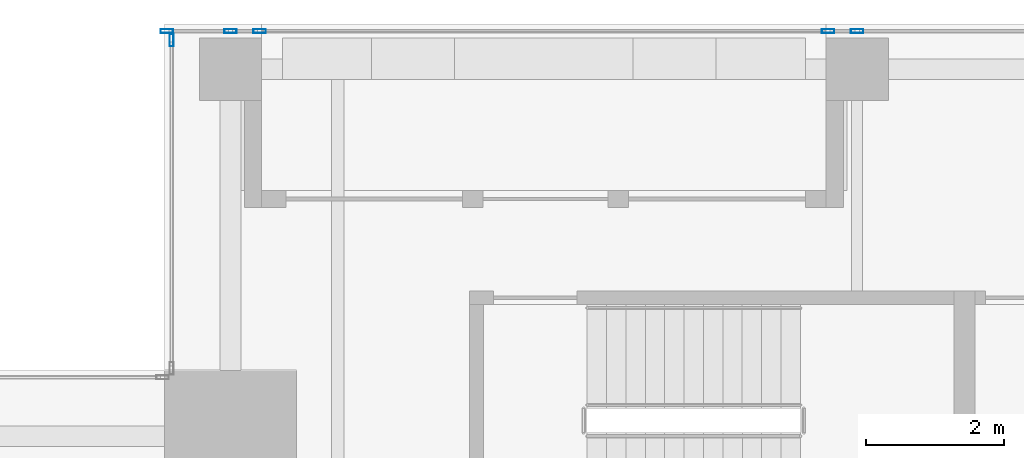
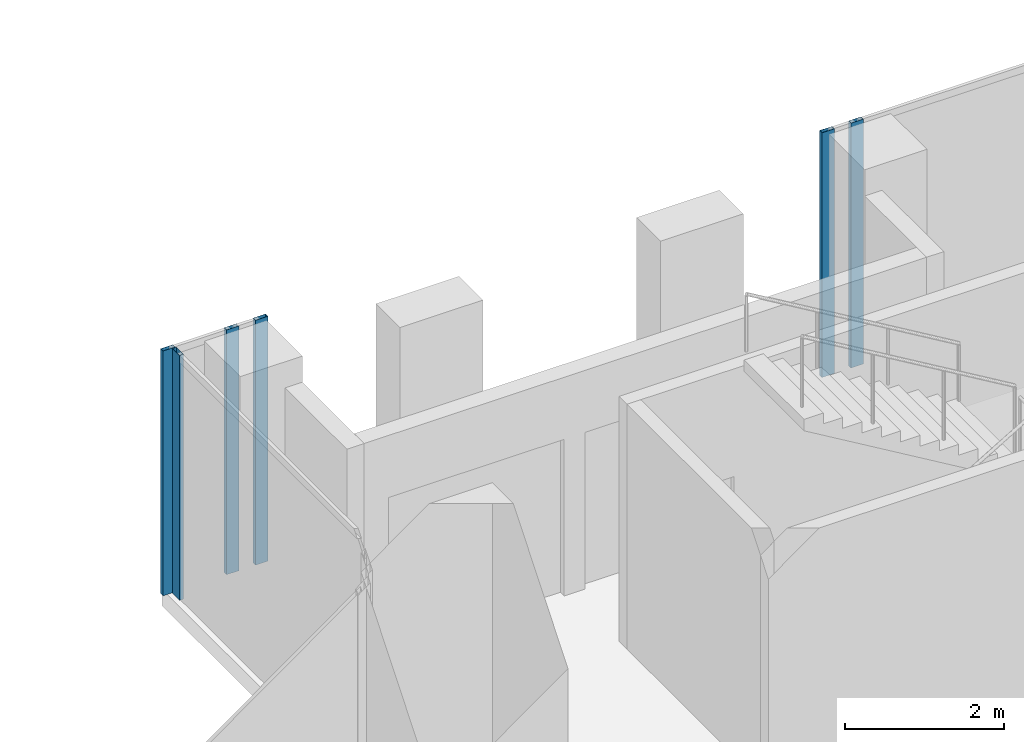
# One storey, part 18 of 35: 6 members, 3 elements without a shape of their own.
"""IFC4 building model written with IfcOpenShell, lengths in metres."""

from ifc_helpers import new_model, si_unit, direction, frame, origin, origin_2d, place, context, subcontext, project, spatial, hollow_rectangle, extrude, source, transform, mapped, material, material_profile, profile_set, type_object, element, aggregate, save


model = new_model("IFC4")

# Units and contexts
model_context = context("Model", 3, precision=1e-05, world=origin(), true_north=direction((0.0, 1.0)))
body_context = subcontext(model_context, "Body", "Model", "MODEL_VIEW")
ifc_project = project(units=[si_unit("LENGTHUNIT", "METRE"), si_unit("AREAUNIT", "SQUARE_METRE"), si_unit("VOLUMEUNIT", "CUBIC_METRE"), si_unit("PLANEANGLEUNIT", "RADIAN"), si_unit("MASSUNIT", "GRAM", prefix="KILO")], contexts=[model_context])

# Site, building, storey
site_placement = place(None, origin())
site = spatial("IfcSite", under=ifc_project, at=site_placement, CompositionType="ELEMENT")
building_placement = place(site_placement, origin())
building = spatial("IfcBuilding", under=site, at=building_placement, Name="Khomas Fold Tower", CompositionType="ELEMENT")
storey_placement = place(building_placement, frame((0.0, 0.0, 250.199951171875)))
storey = spatial("IfcBuildingStorey", under=building, at=storey_placement, Name="L56", CompositionType="ELEMENT", Elevation=250.199951171875)

# Curtain wall, members
ifc_material_1 = material(Name="Aluminium framed double glazing", Category="aluminium")
curtain_wall_type = type_object("IfcCurtainWallType", Name="SK-Unitised clear-glass wall, office floors CW2", PredefinedType="NOTDEFINED", material=ifc_material_1)
curtain_wall_1_placement = place(storey_placement, origin())
curtain_wall_1 = element("IfcCurtainWall", 1, at=curtain_wall_1_placement, inside=storey, type_object=curtain_wall_type, Name="CW2 run L56 06-0", PredefinedType="NOTDEFINED")
ifc_material_2 = material(Name="Aluminium", Category="aluminium")
ifc_material_profile = material_profile(ifc_material_2, hollow_rectangle(XDim=0.06005859375, YDim=0.179931640625, WallThickness=0.00390625, at=origin_2d()), Name="SK-Unitised clear-glass wall, office floors mullion CW2-M")
ifc_profile_set = profile_set([ifc_material_profile], Name="Aluminium")
member_type = type_object("IfcMemberType", Name="SK-Unitised clear-glass wall, office floors mullion CW2-M", PredefinedType="MULLION", material=ifc_profile_set)
shared_shape = source(origin(), body_context, "Body", "SweptSolid", [
    extrude(hollow_rectangle(XDim=0.06005859375, YDim=0.179931640625, WallThickness=0.00390625, at=origin_2d()), origin(), (0.0, 0.0, 1.0), 3.75),
])
member_1_placement = place(storey_placement, frame((19.5, 49.39990234375, 0.0), z_axis=(0.0, 0.0, 1.0), x_axis=(0.0, -1.0, 0.0)))
member_1 = element("IfcMember", 2, at=member_1_placement, type_object=member_type, Name="CW2 mullion 5", PredefinedType="MULLION", context=body_context, shape_type="MappedRepresentation", body=[
    mapped(shared_shape, transform((0.0, 0.0, 0.0))),
])
member_2_placement = place(storey_placement, frame((19.080078125, 49.39990234375, 0.0), z_axis=(0.0, 0.0, 1.0), x_axis=(0.0, -1.0, 0.0)))
member_2 = element("IfcMember", 3, at=member_2_placement, type_object=member_type, Name="CW2 mullion 6", PredefinedType="MULLION", context=body_context, shape_type="MappedRepresentation", body=[
    mapped(shared_shape, transform((0.0, 0.0, 0.0))),
])
aggregate(curtain_wall_1, [member_1, member_2])

curtain_wall_2_placement = place(storey_placement, origin())
curtain_wall_2 = element("IfcCurtainWall", 4, at=curtain_wall_2_placement, inside=storey, type_object=curtain_wall_type, Name="CW2 run L56 06-1", PredefinedType="NOTDEFINED")
member_3_placement = place(storey_placement, frame((10.8701171875, 49.39990234375, 0.0), z_axis=(0.0, 0.0, 1.0), x_axis=(0.0, -1.0, 0.0)))
member_3 = element("IfcMember", 5, at=member_3_placement, type_object=member_type, Name="CW2 mullion 1", PredefinedType="MULLION", context=body_context, shape_type="MappedRepresentation", body=[
    mapped(shared_shape, transform((0.0, 0.0, 0.0))),
])
member_4_placement = place(storey_placement, frame((10.449951171875, 49.39990234375, 0.0), z_axis=(0.0, 0.0, 1.0), x_axis=(0.0, -1.0, 0.0)))
member_4 = element("IfcMember", 6, at=member_4_placement, type_object=member_type, Name="CW2 mullion 2", PredefinedType="MULLION", context=body_context, shape_type="MappedRepresentation", body=[
    mapped(shared_shape, transform((0.0, 0.0, 0.0))),
])
member_5_placement = place(storey_placement, frame((9.530029296875, 49.39990234375, 0.0), z_axis=(0.0, 0.0, 1.0), x_axis=(0.0, -1.0, 0.0)))
member_5 = element("IfcMember", 7, at=member_5_placement, type_object=member_type, Name="CW2 mullion 3", PredefinedType="MULLION", context=body_context, shape_type="MappedRepresentation", body=[
    mapped(shared_shape, transform((0.0, 0.0, 0.0))),
])
aggregate(curtain_wall_2, [member_3, member_4, member_5])

# Curtain wall, member
curtain_wall_3_placement = place(storey_placement, origin())
curtain_wall_3 = element("IfcCurtainWall", 8, at=curtain_wall_3_placement, inside=storey, type_object=curtain_wall_type, Name="CW2 corner return L56 07", PredefinedType="NOTDEFINED")
member_6_placement = place(storey_placement, frame((9.60009765625, 49.27001953125, 0.0), z_axis=(0.0, 0.0, 1.0), x_axis=(1.0, 0.0, 0.0)))
member_6 = element("IfcMember", 9, at=member_6_placement, type_object=member_type, Name="CW2 mullion 1", PredefinedType="MULLION", context=body_context, shape_type="MappedRepresentation", body=[
    mapped(shared_shape, transform((0.0, 0.0, 0.0))),
])
aggregate(curtain_wall_3, [member_6])

save(model, "model.ifc")
